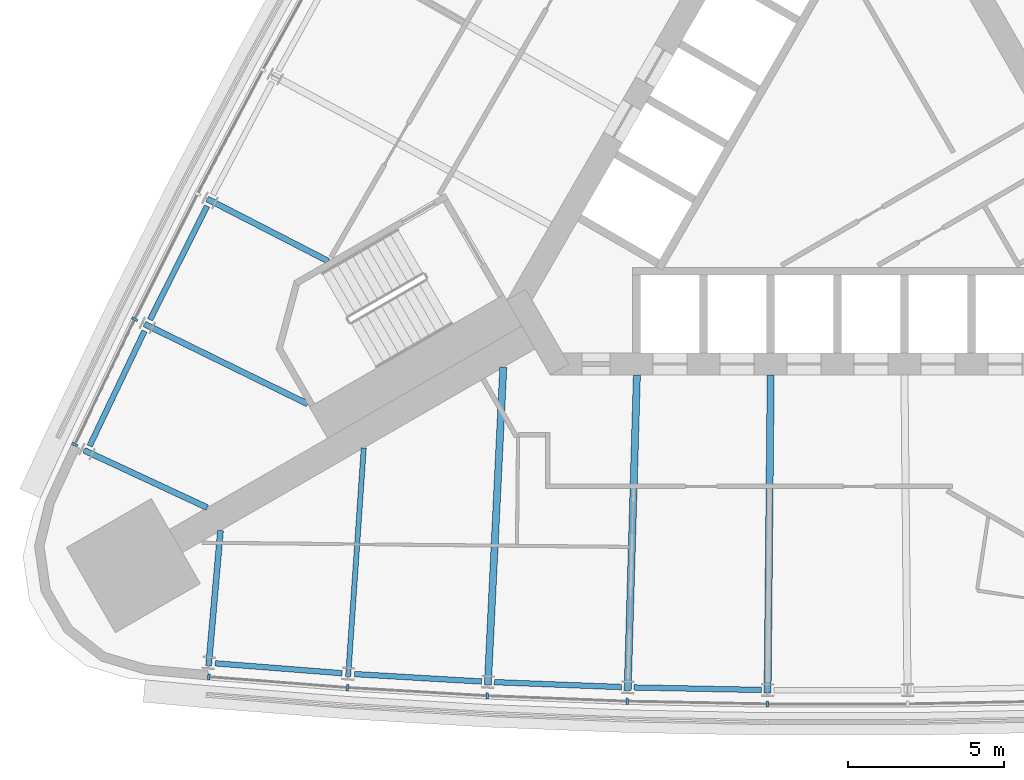
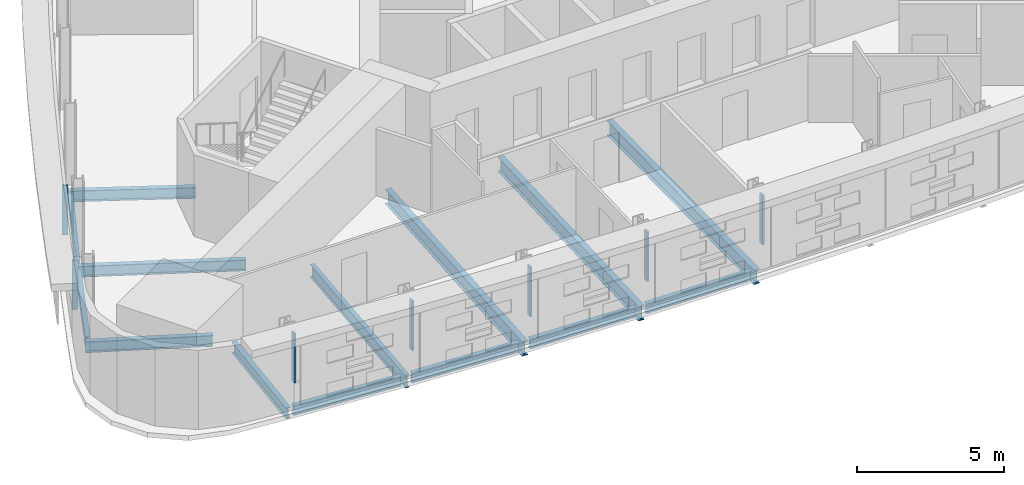
# One storey, part 2 of 13: 14 beams, 7 members, 2 elements without a shape of their own.
"""IFC4 building model written with IfcOpenShell, lengths in metres."""

from ifc_helpers import new_model, si_unit, direction, frame, origin, origin_2d, place, context, subcontext, project, spatial, rectangle, i_section, extrude, material, material_profile, profile_set, type_object, element, aggregate, save


model = new_model("IFC4")

# Units and contexts
model_context = context("Model", 3, precision=1e-05, world=origin(), true_north=direction((0.0, 1.0)))
body_context = subcontext(model_context, "Body", "Model", "MODEL_VIEW")
ifc_project = project(units=[si_unit("LENGTHUNIT", "METRE"), si_unit("AREAUNIT", "SQUARE_METRE"), si_unit("VOLUMEUNIT", "CUBIC_METRE"), si_unit("PLANEANGLEUNIT", "RADIAN"), si_unit("MASSUNIT", "GRAM", prefix="KILO")], contexts=[model_context])

# Site, building, storey
site_placement = place(None, origin())
site = spatial("IfcSite", under=ifc_project, at=site_placement, CompositionType="ELEMENT")
building_placement = place(site_placement, origin())
building = spatial("IfcBuilding", under=site, at=building_placement, Name="Noor Cloister Tower", CompositionType="ELEMENT")
storey_placement = place(building_placement, frame((0.0, 0.0, 79.800048828125)))
storey = spatial("IfcBuildingStorey", under=building, at=storey_placement, Name="L20", CompositionType="ELEMENT", Elevation=79.800048828125)

# Curtain wall, members
ifc_material_1 = material(Name="Aluminium 6063-T6 anodised", Category="aluminium")
curtain_wall_type = type_object("IfcCurtainWallType", Name="Ribbon curtain wall, lower tower CW1", PredefinedType="NOTDEFINED", material=ifc_material_1)
curtain_wall_1_placement = place(storey_placement, origin())
curtain_wall_1 = element("IfcCurtainWall", 1, at=curtain_wall_1_placement, inside=storey, type_object=curtain_wall_type, Name="CW1 L20 NW run 1", PredefinedType="NOTDEFINED")
ifc_material_2 = material(Name="Aluminium 6063-T6 anodised", Category="aluminium")
ifc_material_profile_1 = material_profile(ifc_material_2, rectangle(XDim=0.199951171875, YDim=0.080078125, at=origin_2d()), Name="200 x 80 mullion")
ifc_profile_set_1 = profile_set([ifc_material_profile_1], Name="Aluminium 6063-T6 anodised")
member_type = type_object("IfcMemberType", Name="Mullion CW1 80 x 200", PredefinedType="MULLION", material=ifc_profile_set_1)
member_1_placement = place(storey_placement, frame((-22.558837890625, -5.14013671875, 1.099853515625), z_axis=(0.0, 0.0, 1.0), x_axis=(0.898076896074, -0.439838480283, 0.0)))
member_1 = element("IfcMember", 2, at=member_1_placement, type_object=member_type, Name="CW1 mullion 9", PredefinedType="MULLION", context=body_context, shape_type="SweptSolid", body=[
    extrude(rectangle(XDim=0.199951171875, YDim=0.080078125, at=origin_2d()), origin(), (0.0, 0.0, 1.0), 2.050048828125),
])
member_2_placement = place(storey_placement, frame((-24.48095703125, -9.16357421875, 1.099853515625), z_axis=(0.0, 0.0, 1.0), x_axis=(0.902318257083, -0.431070484881, 0.0)))
member_2 = element("IfcMember", 3, at=member_2_placement, type_object=member_type, Name="CW1 mullion 10", PredefinedType="MULLION", context=body_context, shape_type="SweptSolid", body=[
    extrude(rectangle(XDim=0.199951171875, YDim=0.080078125, at=origin_2d()), origin(), (0.0, 0.0, 1.0), 2.050048828125),
])
aggregate(curtain_wall_1, [member_1, member_2])

curtain_wall_2_placement = place(storey_placement, origin())
curtain_wall_2 = element("IfcCurtainWall", 4, at=curtain_wall_2_placement, inside=storey, type_object=curtain_wall_type, Name="CW1 L20 S run 2", PredefinedType="NOTDEFINED")
member_3_placement = place(storey_placement, frame((-20.176513671875, -16.619384765625, 1.099853515625), z_axis=(0.0, 0.0, 1.0), x_axis=(0.077841137813, 0.996965775372, 0.0)))
member_3 = element("IfcMember", 5, at=member_3_placement, type_object=member_type, Name="CW1 mullion 1", PredefinedType="MULLION", context=body_context, shape_type="SweptSolid", body=[
    extrude(rectangle(XDim=0.199951171875, YDim=0.080078125, at=origin_2d()), origin(), (0.0, 0.0, 1.0), 2.050048828125),
])
member_4_placement = place(storey_placement, frame((-15.73095703125, -16.96630859375, 1.099853515625), z_axis=(0.0, 0.0, 1.0), x_axis=(0.06812715055, 0.997676646694, 0.0)))
member_4 = element("IfcMember", 6, at=member_4_placement, type_object=member_type, Name="CW1 mullion 2", PredefinedType="MULLION", context=body_context, shape_type="SweptSolid", body=[
    extrude(rectangle(XDim=0.199951171875, YDim=0.080078125, at=origin_2d()), origin(), (0.0, 0.0, 1.0), 2.050048828125),
])
member_5_placement = place(storey_placement, frame((-11.24072265625, -17.22900390625, 1.099853515625), z_axis=(0.0, 0.0, 1.0), x_axis=(0.048680726574, 0.998814390595, 0.0)))
member_5 = element("IfcMember", 7, at=member_5_placement, type_object=member_type, Name="CW1 mullion 3", PredefinedType="MULLION", context=body_context, shape_type="SweptSolid", body=[
    extrude(rectangle(XDim=0.199951171875, YDim=0.080078125, at=origin_2d()), origin(), (0.0, 0.0, 1.0), 2.050048828125),
])
member_6_placement = place(storey_placement, frame((-6.74609375, -17.404296875, 1.099853515625), z_axis=(0.0, 0.0, 1.0), x_axis=(0.029215830313, 0.999573126519, 0.0)))
member_6 = element("IfcMember", 8, at=member_6_placement, type_object=member_type, Name="CW1 mullion 4", PredefinedType="MULLION", context=body_context, shape_type="SweptSolid", body=[
    extrude(rectangle(XDim=0.199951171875, YDim=0.080078125, at=origin_2d()), origin(), (0.0, 0.0, 1.0), 2.050048828125),
])
member_7_placement = place(storey_placement, frame((-2.2490234375, -17.491943359375, 1.099853515625), z_axis=(0.0, 0.0, 1.0), x_axis=(0.009739847876, 0.999952566557, 0.0)))
member_7 = element("IfcMember", 9, at=member_7_placement, type_object=member_type, Name="CW1 mullion 5", PredefinedType="MULLION", context=body_context, shape_type="SweptSolid", body=[
    extrude(rectangle(XDim=0.199951171875, YDim=0.080078125, at=origin_2d()), origin(), (0.0, 0.0, 1.0), 2.050048828125),
])
aggregate(curtain_wall_2, [member_3, member_4, member_5, member_6, member_7])

# Beams
ifc_material_3 = material(Name="Steel ASTM A992 Gr 50", Category="steel")
ifc_material_profile_2 = material_profile(ifc_material_3, i_section(OverallWidth=0.19091796875, OverallDepth=0.45703125, WebThickness=0.009033203125, FlangeThickness=0.014404296875, FilletRadius=0.01025390625, at=origin_2d()), Name="W460x74")
ifc_profile_set_2 = profile_set([ifc_material_profile_2], Name="Steel ASTM A992 Gr 50")
beam_type_1 = type_object("IfcBeamType", Name="Radial beam W460x74", PredefinedType="BEAM", material=ifc_profile_set_2)
beam_1_placement = place(storey_placement, frame((-20.227294921875, -1.281494140625, -0.428466796875), z_axis=(0.88934631095, -0.457234227939, 0.0), x_axis=(0.457234227939, 0.88934631095, 0.0)))
element("IfcBeam", 10, at=beam_1_placement, inside=storey, type_object=beam_type_1, Name="Radial beam NW 08 L20", PredefinedType="BEAM", context=body_context, shape_type="SweptSolid", body=[
    extrude(i_section(OverallWidth=0.19091796875, OverallDepth=0.45703125, WebThickness=0.009033203125, FlangeThickness=0.014404296875, FilletRadius=0.01025390625, at=origin_2d()), origin(), (0.0, 0.0, 1.0), 4.363525390625),
])
beam_2_placement = place(storey_placement, frame((-22.24169921875, -5.29541015625, -0.428466796875), z_axis=(0.898072494859, -0.439847466717, 0.0), x_axis=(0.439847466717, 0.898072494859, 0.0)))
element("IfcBeam", 11, at=beam_2_placement, inside=storey, type_object=beam_type_1, Name="Radial beam NW 09 L20", PredefinedType="BEAM", context=body_context, shape_type="SweptSolid", body=[
    extrude(i_section(OverallWidth=0.19091796875, OverallDepth=0.45703125, WebThickness=0.009033203125, FlangeThickness=0.014404296875, FilletRadius=0.01025390625, at=origin_2d()), origin(), (0.0, 0.0, 1.0), 5.83203125),
])
for number, where, z_axis, x_axis, name in (
    (12, (-24.177734375, -9.347900390625, -0.428466796875), (0.906477800854, -0.422253474301, 0.0), (0.422253474301, 0.906477800854, 0.0), "Radial beam NW 10 L20"),
    (13, (-20.184326171875, -16.2646484375, -0.428466796875), (0.087519338878, 0.996162820689, 0.0), (-0.996162820689, 0.087519338878, 0.0), "Radial beam S 01 L20"),
):
    element("IfcBeam", number, at=place(storey_placement, frame(where, z_axis=z_axis, x_axis=x_axis)), inside=storey, type_object=beam_type_1, Name=name, PredefinedType="BEAM", context=body_context, shape_type="SweptSolid", body=[
        extrude(i_section(OverallWidth=0.19091796875, OverallDepth=0.45703125, WebThickness=0.009033203125, FlangeThickness=0.014404296875, FilletRadius=0.01025390625, at=origin_2d()), origin(), (0.0, 0.0, 1.0), 4.357177734375),
    ])
ifc_material_4 = material(Name="Steel ASTM A992 Gr 50", Category="steel")
ifc_material_profile_3 = material_profile(ifc_material_4, i_section(OverallWidth=0.166015625, OverallDepth=0.528076171875, WebThickness=0.009765625, FlangeThickness=0.013671875, FilletRadius=0.0126953125, at=origin_2d()), Name="W530x74")
ifc_profile_set_3 = profile_set([ifc_material_profile_3], Name="Steel ASTM A992 Gr 50")
beam_type_2 = type_object("IfcBeamType", Name="Radial beam W530x74", PredefinedType="BEAM", material=ifc_profile_set_3)
beam_3_placement = place(storey_placement, frame((-15.70703125, -16.6142578125, -0.464111328125), z_axis=(0.068149923969, 0.997675091331, 0.0), x_axis=(-0.997675091331, 0.068149923969, 0.0)))
element("IfcBeam", 14, at=beam_3_placement, inside=storey, type_object=beam_type_2, Name="Radial beam S 02 L20", PredefinedType="BEAM", context=body_context, shape_type="SweptSolid", body=[
    extrude(i_section(OverallWidth=0.166015625, OverallDepth=0.528076171875, WebThickness=0.009765625, FlangeThickness=0.013671875, FilletRadius=0.0126953125, at=origin_2d()), origin(), (0.0, 0.0, 1.0), 7.36181640625),
])
ifc_material_5 = material(Name="Steel ASTM A992 Gr 50", Category="steel")
ifc_material_profile_4 = material_profile(ifc_material_5, i_section(OverallWidth=0.22802734375, OverallDepth=0.60205078125, WebThickness=0.010498046875, FlangeThickness=0.014892578125, FilletRadius=0.0126953125, at=origin_2d()), Name="W610x101")
ifc_profile_set_4 = profile_set([ifc_material_profile_4], Name="Steel ASTM A992 Gr 50")
beam_type_3 = type_object("IfcBeamType", Name="Radial beam W610x101", PredefinedType="BEAM", material=ifc_profile_set_4)
beam_4_placement = place(storey_placement, frame((-11.223388671875, -16.87646484375, -0.5009765625), z_axis=(0.048662011674, 0.998815302556, 0.0), x_axis=(-0.998815302556, 0.048662011674, 0.0)))
element("IfcBeam", 15, at=beam_4_placement, inside=storey, type_object=beam_type_3, Name="Radial beam S 03 L20", PredefinedType="BEAM", context=body_context, shape_type="SweptSolid", body=[
    extrude(i_section(OverallWidth=0.22802734375, OverallDepth=0.60205078125, WebThickness=0.010498046875, FlangeThickness=0.014892578125, FilletRadius=0.0126953125, at=origin_2d()), origin(), (0.0, 0.0, 1.0), 10.204833984375),
])
beam_5_placement = place(storey_placement, frame((-6.73583984375, -17.051513671875, -0.5009765625), z_axis=(0.029216992359, 0.999573092554, 0.0), x_axis=(-0.999573092554, 0.029216992359, 0.0)))
element("IfcBeam", 16, at=beam_5_placement, inside=storey, type_object=beam_type_3, Name="Radial beam S 04 L20", PredefinedType="BEAM", context=body_context, shape_type="SweptSolid", body=[
    extrude(i_section(OverallWidth=0.22802734375, OverallDepth=0.60205078125, WebThickness=0.010498046875, FlangeThickness=0.014892578125, FilletRadius=0.0126953125, at=origin_2d()), origin(), (0.0, 0.0, 1.0), 10.127685546875),
])
beam_6_placement = place(storey_placement, frame((-2.24560546875, -17.138916015625, -0.5009765625), z_axis=(0.009754933581, 0.999952419503, 0.0), x_axis=(-0.999952419503, 0.009754933581, 0.0)))
element("IfcBeam", 17, at=beam_6_placement, inside=storey, type_object=beam_type_3, Name="Radial beam S 05 L20", PredefinedType="BEAM", context=body_context, shape_type="SweptSolid", body=[
    extrude(i_section(OverallWidth=0.22802734375, OverallDepth=0.60205078125, WebThickness=0.010498046875, FlangeThickness=0.014892578125, FilletRadius=0.0126953125, at=origin_2d()), origin(), (0.0, 0.0, 1.0), 10.211181640625),
])
ifc_material_6 = material(Name="Steel ASTM A992 Gr 50", Category="steel")
ifc_material_profile_5 = material_profile(ifc_material_6, i_section(OverallWidth=0.177978515625, OverallDepth=0.406005859375, WebThickness=0.0078125, FlangeThickness=0.0126953125, FilletRadius=0.01025390625, at=origin_2d()), Name="W410x60")
ifc_profile_set_5 = profile_set([ifc_material_profile_5], Name="Steel ASTM A992 Gr 50")
beam_type_4 = type_object("IfcBeamType", Name="Spandrel beam W410x60", PredefinedType="SPANDREL", material=ifc_profile_set_5)
for number, where, z_axis, x_axis, name in (
    (18, (-20.2314453125, -1.506591796875, -0.403076171875), (-0.448575656489, -0.893744863149, 0.0), (0.893744863149, -0.448575656489, 0.0), "Spandrel beam NW 08 L20"),
    (19, (-22.24169921875, -5.5205078125, -0.403076171875), (-0.43107692405, -0.902315180827, 0.0), (0.902315180827, -0.43107692405, 0.0), "Spandrel beam NW 09 L20"),
):
    element("IfcBeam", number, at=place(storey_placement, frame(where, z_axis=z_axis, x_axis=x_axis)), inside=storey, type_object=beam_type_4, Name=name, PredefinedType="SPANDREL", context=body_context, shape_type="SweptSolid", body=[
        extrude(i_section(OverallWidth=0.177978515625, OverallDepth=0.406005859375, WebThickness=0.0078125, FlangeThickness=0.0126953125, FilletRadius=0.01025390625, at=origin_2d()), origin(), (0.0, 0.0, 1.0), 4.085205078125),
    ])
for number, where, z_axis, x_axis, name in (
    (20, (-19.974609375, -16.18359375, -0.403076171875), (0.996963808754, -0.077866321573, 0.0), (0.077866321573, 0.996963808754, 0.0), "Spandrel beam S 01 L20"),
    (21, (-15.498779296875, -16.529296875, -0.403076171875), (0.998294099213, -0.058385712956, 0.0), (0.058385712956, 0.998294099213, 0.0), "Spandrel beam S 02 L20"),
):
    element("IfcBeam", number, at=place(storey_placement, frame(where, z_axis=z_axis, x_axis=x_axis)), inside=storey, type_object=beam_type_4, Name=name, PredefinedType="SPANDREL", context=body_context, shape_type="SweptSolid", body=[
        extrude(i_section(OverallWidth=0.177978515625, OverallDepth=0.406005859375, WebThickness=0.0078125, FlangeThickness=0.0126953125, FilletRadius=0.01025390625, at=origin_2d()), origin(), (0.0, 0.0, 1.0), 4.08544921875),
    ])
for number, where, z_axis, x_axis, name in (
    (22, (-11.016845703125, -16.787353515625, -0.403076171875), (0.999240552609, -0.038965600496, 0.0), (0.038965600496, 0.999240552609, 0.0), "Spandrel beam S 03 L20"),
    (23, (-6.531005859375, -16.95849609375, -0.403076171875), (0.999810202859, -0.019482254999, 0.0), (0.019482254999, 0.999810202859, 0.0), "Spandrel beam S 04 L20"),
):
    element("IfcBeam", number, at=place(storey_placement, frame(where, z_axis=z_axis, x_axis=x_axis)), inside=storey, type_object=beam_type_4, Name=name, PredefinedType="SPANDREL", context=body_context, shape_type="SweptSolid", body=[
        extrude(i_section(OverallWidth=0.177978515625, OverallDepth=0.406005859375, WebThickness=0.0078125, FlangeThickness=0.0126953125, FilletRadius=0.01025390625, at=origin_2d()), origin(), (0.0, 0.0, 1.0), 4.085205078125),
    ])

save(model, "model.ifc")
